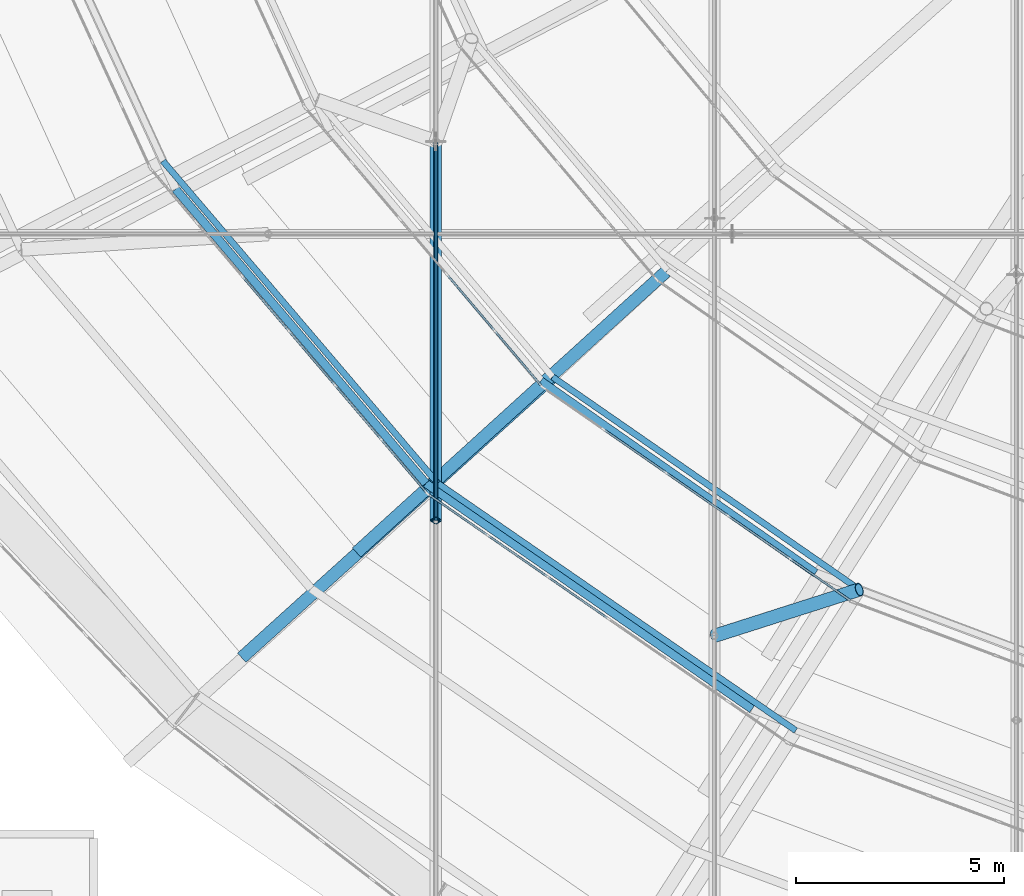
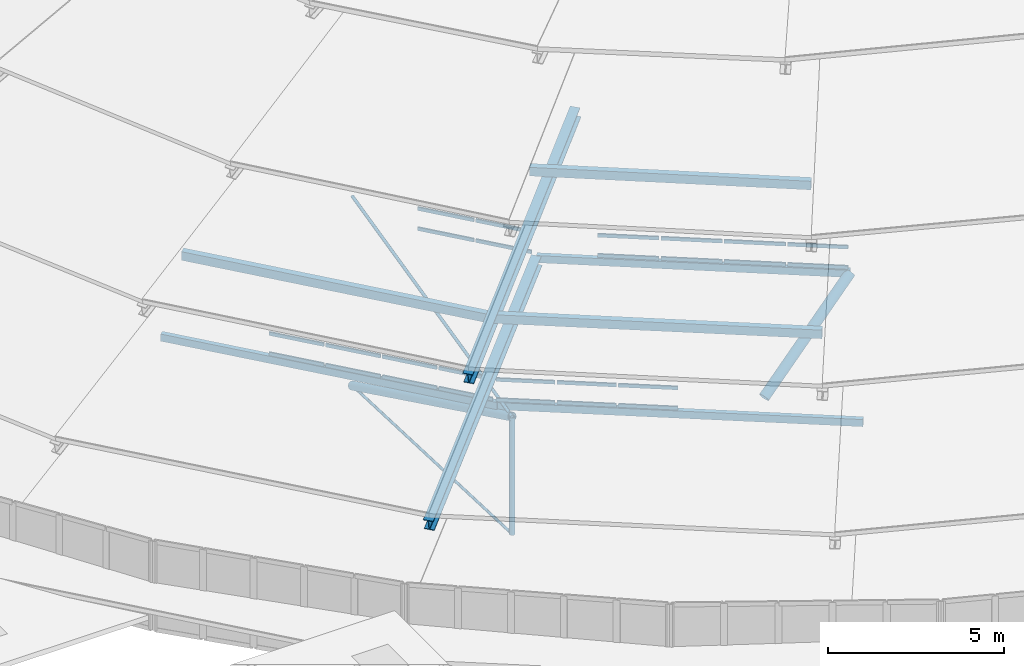
# One storey, part 5 of 173: 39 members, 4 elements without a shape of their own.
"""IFC4 building model written with IfcOpenShell, lengths in metres."""

from ifc_helpers import new_model, si_unit, direction, frame, origin, origin_2d, place, context, subcontext, project, spatial, rectangle, hollow_rectangle, circle, hollow_circle, i_section, extrude, material, material_profile, profile_set, type_object, element, aggregate, save


model = new_model("IFC4")

# Units and contexts
model_context = context("Model", 3, precision=1e-05, world=origin(), true_north=direction((0.0, 1.0)))
body_context = subcontext(model_context, "Body", "Model", "MODEL_VIEW")
ifc_project = project(units=[si_unit("LENGTHUNIT", "METRE"), si_unit("AREAUNIT", "SQUARE_METRE"), si_unit("VOLUMEUNIT", "CUBIC_METRE"), si_unit("PLANEANGLEUNIT", "RADIAN"), si_unit("MASSUNIT", "GRAM", prefix="KILO")], contexts=[model_context])

# Site, building, storey
site_placement = place(None, origin())
site = spatial("IfcSite", under=ifc_project, at=site_placement, CompositionType="ELEMENT")
building_placement = place(site_placement, origin())
building = spatial("IfcBuilding", under=site, at=building_placement, Name="Glasvene Arena", CompositionType="ELEMENT")
storey_placement = place(building_placement, frame((0.0, 0.0, 28.800048828125)))
storey = spatial("IfcBuildingStorey", under=building, at=storey_placement, Name="RF", CompositionType="ELEMENT", Elevation=28.800048828125)

# Curtain wall, members
ifc_material_1 = material(Name="Low-emissivity laminated double glazing", Category="glass")
curtain_wall_type_1 = type_object("IfcCurtainWallType", Name="CW-PET1-1026x75", PredefinedType="USERDEFINED", material=ifc_material_1)
curtain_wall_1_placement = place(storey_placement, frame((55.7568359375, 54.14990234375, 0.0)))
curtain_wall_1 = element("IfcCurtainWall", 1, at=curtain_wall_1_placement, inside=storey, type_object=curtain_wall_type_1, Name="Petal ring 1-2 clerestory curtain wall 15", ObjectType="CURTAIN WALL", PredefinedType="USERDEFINED")
ifc_material_2 = material(Name="Anodised architectural aluminium", Category="aluminium")
ifc_material_profile_1 = material_profile(ifc_material_2, rectangle(XDim=0.050048828125, YDim=0.1201171875, at=origin_2d()), Name="ALU TRANSOM 50x120")
ifc_profile_set_1 = profile_set([ifc_material_profile_1], Name="Anodised architectural aluminium")
member_type_1 = type_object("IfcMemberType", Name="CW-TRN-120", PredefinedType="USERDEFINED", material=ifc_profile_set_1)
member_1_placement = place(storey_placement, frame((57.989990234375, 51.5283203125, 2.60498046875), z_axis=(0.648425401794, -0.761278200337, 0.0), x_axis=(0.761278200337, 0.648425401794, 0.0)))
member_1 = element("IfcMember", 2, at=member_1_placement, type_object=member_type_1, Name="CW-083 transom 3.1", ObjectType="TRANSOM", PredefinedType="USERDEFINED", context=body_context, shape_type="SweptSolid", body=[
    extrude(rectangle(XDim=0.050048828125, YDim=0.1201171875, at=origin_2d()), origin(), (0.0, 0.0, 1.0), 1.6591796875),
])
member_2_placement = place(storey_placement, frame((57.989990234375, 51.5283203125, 3.304931640625), z_axis=(0.648425401794, -0.761278200337, 0.0), x_axis=(0.761278200337, 0.648425401794, 0.0)))
member_2 = element("IfcMember", 3, at=member_2_placement, type_object=member_type_1, Name="CW-083 transom 3.2", ObjectType="TRANSOM", PredefinedType="USERDEFINED", context=body_context, shape_type="SweptSolid", body=[
    extrude(rectangle(XDim=0.050048828125, YDim=0.1201171875, at=origin_2d()), origin(), (0.0, 0.0, 1.0), 1.6591796875),
])
member_3_placement = place(storey_placement, frame((59.098388671875, 50.22705078125, 2.60498046875), z_axis=(0.648510661064, -0.761205571766, 0.0), x_axis=(0.761205571766, 0.648510661064, 0.0)))
member_3 = element("IfcMember", 4, at=member_3_placement, type_object=member_type_1, Name="CW-083 transom 4.1", ObjectType="TRANSOM", PredefinedType="USERDEFINED", context=body_context, shape_type="SweptSolid", body=[
    extrude(rectangle(XDim=0.050048828125, YDim=0.1201171875, at=origin_2d()), origin(), (0.0, 0.0, 1.0), 1.659423828125),
])
member_4_placement = place(storey_placement, frame((59.098388671875, 50.22705078125, 3.304931640625), z_axis=(0.648510661064, -0.761205571766, 0.0), x_axis=(0.761205571766, 0.648510661064, 0.0)))
member_4 = element("IfcMember", 5, at=member_4_placement, type_object=member_type_1, Name="CW-083 transom 4.2", ObjectType="TRANSOM", PredefinedType="USERDEFINED", context=body_context, shape_type="SweptSolid", body=[
    extrude(rectangle(XDim=0.050048828125, YDim=0.1201171875, at=origin_2d()), origin(), (0.0, 0.0, 1.0), 1.659423828125),
])
member_5_placement = place(storey_placement, frame((60.206787109375, 48.92578125, 2.60498046875), z_axis=(0.648438039829, -0.761267435598, 0.0), x_axis=(0.761267435598, 0.648438039829, 0.0)))
member_5 = element("IfcMember", 6, at=member_5_placement, type_object=member_type_1, Name="CW-083 transom 5.1", ObjectType="TRANSOM", PredefinedType="USERDEFINED", context=body_context, shape_type="SweptSolid", body=[
    extrude(rectangle(XDim=0.050048828125, YDim=0.1201171875, at=origin_2d()), origin(), (0.0, 0.0, 1.0), 1.65966796875),
])
member_6_placement = place(storey_placement, frame((60.206787109375, 48.92578125, 3.304931640625), z_axis=(0.648438039829, -0.761267435598, 0.0), x_axis=(0.761267435598, 0.648438039829, 0.0)))
member_6 = element("IfcMember", 7, at=member_6_placement, type_object=member_type_1, Name="CW-083 transom 5.2", ObjectType="TRANSOM", PredefinedType="USERDEFINED", context=body_context, shape_type="SweptSolid", body=[
    extrude(rectangle(XDim=0.050048828125, YDim=0.1201171875, at=origin_2d()), origin(), (0.0, 0.0, 1.0), 1.65966796875),
])
member_7_placement = place(storey_placement, frame((61.3154296875, 47.624267578125, 2.60498046875), z_axis=(0.648463249482, -0.761245961613, 0.0), x_axis=(0.761245961613, 0.648463249482, 0.0)))
member_7 = element("IfcMember", 8, at=member_7_placement, type_object=member_type_1, Name="CW-083 transom 6.1", ObjectType="TRANSOM", PredefinedType="USERDEFINED", context=body_context, shape_type="SweptSolid", body=[
    extrude(rectangle(XDim=0.050048828125, YDim=0.1201171875, at=origin_2d()), origin(), (0.0, 0.0, 1.0), 1.63427734375),
])
member_8_placement = place(storey_placement, frame((61.3154296875, 47.624267578125, 3.304931640625), z_axis=(0.648463249482, -0.761245961613, 0.0), x_axis=(0.761245961613, 0.648463249482, 0.0)))
member_8 = element("IfcMember", 9, at=member_8_placement, type_object=member_type_1, Name="CW-083 transom 6.2", ObjectType="TRANSOM", PredefinedType="USERDEFINED", context=body_context, shape_type="SweptSolid", body=[
    extrude(rectangle(XDim=0.050048828125, YDim=0.1201171875, at=origin_2d()), origin(), (0.0, 0.0, 1.0), 1.63427734375),
])
aggregate(curtain_wall_1, [member_1, member_2, member_3, member_4, member_5, member_6, member_7, member_8])

curtain_wall_type_2 = type_object("IfcCurtainWallType", Name="CW-PET1-1054x75", PredefinedType="USERDEFINED", material=ifc_material_1)
curtain_wall_2_placement = place(storey_placement, frame((62.40771484375, 46.342041015625, 0.0)))
curtain_wall_2 = element("IfcCurtainWall", 10, at=curtain_wall_2_placement, inside=storey, type_object=curtain_wall_type_2, Name="Petal ring 1-2 clerestory curtain wall 16", ObjectType="CURTAIN WALL", PredefinedType="USERDEFINED")
member_9_placement = place(storey_placement, frame((62.44873046875, 46.313720703125, 2.60498046875), z_axis=(0.822547539118, -0.568696356495, 0.0), x_axis=(0.568696356495, 0.822547539118, 0.0)))
member_9 = element("IfcMember", 11, at=member_9_placement, type_object=member_type_1, Name="CW-084 transom 1.1", ObjectType="TRANSOM", PredefinedType="USERDEFINED", context=body_context, shape_type="SweptSolid", body=[
    extrude(rectangle(XDim=0.050048828125, YDim=0.1201171875, at=origin_2d()), origin(), (0.0, 0.0, 1.0), 1.68115234375),
])
member_10_placement = place(storey_placement, frame((62.44873046875, 46.313720703125, 3.304931640625), z_axis=(0.822547539118, -0.568696356495, 0.0), x_axis=(0.568696356495, 0.822547539118, 0.0)))
member_10 = element("IfcMember", 12, at=member_10_placement, type_object=member_type_1, Name="CW-084 transom 1.2", ObjectType="TRANSOM", PredefinedType="USERDEFINED", context=body_context, shape_type="SweptSolid", body=[
    extrude(rectangle(XDim=0.050048828125, YDim=0.1201171875, at=origin_2d()), origin(), (0.0, 0.0, 1.0), 1.68115234375),
])
member_11_placement = place(storey_placement, frame((63.872802734375, 45.329345703125, 2.60498046875), z_axis=(0.82255264471, -0.56868897183, 0.0), x_axis=(0.56868897183, 0.82255264471, 0.0)))
member_11 = element("IfcMember", 13, at=member_11_placement, type_object=member_type_1, Name="CW-084 transom 2.1", ObjectType="TRANSOM", PredefinedType="USERDEFINED", context=body_context, shape_type="SweptSolid", body=[
    extrude(rectangle(XDim=0.050048828125, YDim=0.1201171875, at=origin_2d()), origin(), (0.0, 0.0, 1.0), 1.7060546875),
])
member_12_placement = place(storey_placement, frame((63.872802734375, 45.329345703125, 3.304931640625), z_axis=(0.82255264471, -0.56868897183, 0.0), x_axis=(0.56868897183, 0.82255264471, 0.0)))
member_12 = element("IfcMember", 14, at=member_12_placement, type_object=member_type_1, Name="CW-084 transom 2.2", ObjectType="TRANSOM", PredefinedType="USERDEFINED", context=body_context, shape_type="SweptSolid", body=[
    extrude(rectangle(XDim=0.050048828125, YDim=0.1201171875, at=origin_2d()), origin(), (0.0, 0.0, 1.0), 1.7060546875),
])
member_13_placement = place(storey_placement, frame((65.3173828125, 44.330810546875, 2.60498046875), z_axis=(0.82255264471, -0.56868897183, 0.0), x_axis=(0.56868897183, 0.82255264471, 0.0)))
member_13 = element("IfcMember", 15, at=member_13_placement, type_object=member_type_1, Name="CW-084 transom 3.1", ObjectType="TRANSOM", PredefinedType="USERDEFINED", context=body_context, shape_type="SweptSolid", body=[
    extrude(rectangle(XDim=0.050048828125, YDim=0.1201171875, at=origin_2d()), origin(), (0.0, 0.0, 1.0), 1.7060546875),
])
member_14_placement = place(storey_placement, frame((65.3173828125, 44.330810546875, 3.304931640625), z_axis=(0.82255264471, -0.56868897183, 0.0), x_axis=(0.56868897183, 0.82255264471, 0.0)))
member_14 = element("IfcMember", 16, at=member_14_placement, type_object=member_type_1, Name="CW-084 transom 3.2", ObjectType="TRANSOM", PredefinedType="USERDEFINED", context=body_context, shape_type="SweptSolid", body=[
    extrude(rectangle(XDim=0.050048828125, YDim=0.1201171875, at=origin_2d()), origin(), (0.0, 0.0, 1.0), 1.7060546875),
])
aggregate(curtain_wall_2, [member_9, member_10, member_11, member_12, member_13, member_14])

curtain_wall_type_3 = type_object("IfcCurtainWallType", Name="CW-PET2-882x75", PredefinedType="USERDEFINED", material=ifc_material_1)
curtain_wall_3_placement = place(storey_placement, frame((59.459716796875, 55.625, 0.0)))
curtain_wall_3 = element("IfcCurtainWall", 17, at=curtain_wall_3_placement, inside=storey, type_object=curtain_wall_type_3, Name="Petal ring 2-3 clerestory curtain wall 15", ObjectType="CURTAIN WALL", PredefinedType="USERDEFINED")
member_15_placement = place(storey_placement, frame((62.89892578125, 51.573486328125, 5.204833984375), z_axis=(0.647180817857, -0.76233653264, 0.0), x_axis=(0.76233653264, 0.647180817857, 0.0)))
member_15 = element("IfcMember", 18, at=member_15_placement, type_object=member_type_1, Name="CW-089 transom 4.1", ObjectType="TRANSOM", PredefinedType="USERDEFINED", context=body_context, shape_type="SweptSolid", body=[
    extrude(rectangle(XDim=0.050048828125, YDim=0.1201171875, at=origin_2d()), origin(), (0.0, 0.0, 1.0), 1.713134765625),
])
member_16_placement = place(storey_placement, frame((62.89892578125, 51.573486328125, 5.905029296875), z_axis=(0.647180817857, -0.76233653264, 0.0), x_axis=(0.76233653264, 0.647180817857, 0.0)))
member_16 = element("IfcMember", 19, at=member_16_placement, type_object=member_type_1, Name="CW-089 transom 4.2", ObjectType="TRANSOM", PredefinedType="USERDEFINED", context=body_context, shape_type="SweptSolid", body=[
    extrude(rectangle(XDim=0.050048828125, YDim=0.1201171875, at=origin_2d()), origin(), (0.0, 0.0, 1.0), 1.713134765625),
])
member_17_placement = place(storey_placement, frame((64.0400390625, 50.2294921875, 5.204833984375), z_axis=(0.647199107882, -0.762321005061, 0.0), x_axis=(0.762321005061, 0.647199107882, 0.0)))
member_17 = element("IfcMember", 20, at=member_17_placement, type_object=member_type_1, Name="CW-089 transom 5.1", ObjectType="TRANSOM", PredefinedType="USERDEFINED", context=body_context, shape_type="SweptSolid", body=[
    extrude(rectangle(XDim=0.050048828125, YDim=0.1201171875, at=origin_2d()), origin(), (0.0, 0.0, 1.0), 1.68798828125),
])
member_18_placement = place(storey_placement, frame((64.0400390625, 50.2294921875, 5.905029296875), z_axis=(0.647199107882, -0.762321005061, 0.0), x_axis=(0.762321005061, 0.647199107882, 0.0)))
member_18 = element("IfcMember", 21, at=member_18_placement, type_object=member_type_1, Name="CW-089 transom 5.2", ObjectType="TRANSOM", PredefinedType="USERDEFINED", context=body_context, shape_type="SweptSolid", body=[
    extrude(rectangle(XDim=0.050048828125, YDim=0.1201171875, at=origin_2d()), origin(), (0.0, 0.0, 1.0), 1.68798828125),
])
aggregate(curtain_wall_3, [member_15, member_16, member_17, member_18])

curtain_wall_type_4 = type_object("IfcCurtainWallType", Name="CW-PET2-905x75", PredefinedType="USERDEFINED", material=ifc_material_1)
curtain_wall_4_placement = place(storey_placement, frame((65.164794921875, 48.904296875, 0.0)))
curtain_wall_4 = element("IfcCurtainWall", 22, at=curtain_wall_4_placement, inside=storey, type_object=curtain_wall_type_4, Name="Petal ring 2-3 clerestory curtain wall 16", ObjectType="CURTAIN WALL", PredefinedType="USERDEFINED")
member_19_placement = place(storey_placement, frame((66.67236328125, 47.85888671875, 5.204833984375), z_axis=(0.821707443011, -0.569909535014, 0.0), x_axis=(0.569909535014, 0.821707443011, 0.0)))
member_19 = element("IfcMember", 23, at=member_19_placement, type_object=member_type_1, Name="CW-090 transom 2.1", ObjectType="TRANSOM", PredefinedType="USERDEFINED", context=body_context, shape_type="SweptSolid", body=[
    extrude(rectangle(XDim=0.050048828125, YDim=0.1201171875, at=origin_2d()), origin(), (0.0, 0.0, 1.0), 1.759765625),
])
member_20_placement = place(storey_placement, frame((66.67236328125, 47.85888671875, 5.905029296875), z_axis=(0.821707443011, -0.569909535014, 0.0), x_axis=(0.569909535014, 0.821707443011, 0.0)))
member_20 = element("IfcMember", 24, at=member_20_placement, type_object=member_type_1, Name="CW-090 transom 2.2", ObjectType="TRANSOM", PredefinedType="USERDEFINED", context=body_context, shape_type="SweptSolid", body=[
    extrude(rectangle(XDim=0.050048828125, YDim=0.1201171875, at=origin_2d()), origin(), (0.0, 0.0, 1.0), 1.759765625),
])
member_21_placement = place(storey_placement, frame((68.159423828125, 46.827392578125, 5.204833984375), z_axis=(0.821707443011, -0.569909535014, 0.0), x_axis=(0.569909535014, 0.821707443011, 0.0)))
member_21 = element("IfcMember", 25, at=member_21_placement, type_object=member_type_1, Name="CW-090 transom 3.1", ObjectType="TRANSOM", PredefinedType="USERDEFINED", context=body_context, shape_type="SweptSolid", body=[
    extrude(rectangle(XDim=0.050048828125, YDim=0.1201171875, at=origin_2d()), origin(), (0.0, 0.0, 1.0), 1.759765625),
])
member_22_placement = place(storey_placement, frame((68.159423828125, 46.827392578125, 5.905029296875), z_axis=(0.821707443011, -0.569909535014, 0.0), x_axis=(0.569909535014, 0.821707443011, 0.0)))
member_22 = element("IfcMember", 26, at=member_22_placement, type_object=member_type_1, Name="CW-090 transom 3.2", ObjectType="TRANSOM", PredefinedType="USERDEFINED", context=body_context, shape_type="SweptSolid", body=[
    extrude(rectangle(XDim=0.050048828125, YDim=0.1201171875, at=origin_2d()), origin(), (0.0, 0.0, 1.0), 1.759765625),
])
member_23_placement = place(storey_placement, frame((69.646484375, 45.7958984375, 5.204833984375), z_axis=(0.821772410678, -0.569815851875, 0.0), x_axis=(0.569815851875, 0.821772410678, 0.0)))
member_23 = element("IfcMember", 27, at=member_23_placement, type_object=member_type_1, Name="CW-090 transom 4.1", ObjectType="TRANSOM", PredefinedType="USERDEFINED", context=body_context, shape_type="SweptSolid", body=[
    extrude(rectangle(XDim=0.050048828125, YDim=0.1201171875, at=origin_2d()), origin(), (0.0, 0.0, 1.0), 1.759765625),
])
member_24_placement = place(storey_placement, frame((69.646484375, 45.7958984375, 5.905029296875), z_axis=(0.821772410678, -0.569815851875, 0.0), x_axis=(0.569815851875, 0.821772410678, 0.0)))
member_24 = element("IfcMember", 28, at=member_24_placement, type_object=member_type_1, Name="CW-090 transom 4.2", ObjectType="TRANSOM", PredefinedType="USERDEFINED", context=body_context, shape_type="SweptSolid", body=[
    extrude(rectangle(XDim=0.050048828125, YDim=0.1201171875, at=origin_2d()), origin(), (0.0, 0.0, 1.0), 1.759765625),
])
member_25_placement = place(storey_placement, frame((71.133544921875, 44.7646484375, 5.204833984375), z_axis=(0.821644611614, -0.57000011597, 0.0), x_axis=(0.57000011597, 0.821644611614, 0.0)))
member_25 = element("IfcMember", 29, at=member_25_placement, type_object=member_type_1, Name="CW-090 transom 5.1", ObjectType="TRANSOM", PredefinedType="USERDEFINED", context=body_context, shape_type="SweptSolid", body=[
    extrude(rectangle(XDim=0.050048828125, YDim=0.1201171875, at=origin_2d()), origin(), (0.0, 0.0, 1.0), 1.734619140625),
])
member_26_placement = place(storey_placement, frame((71.133544921875, 44.7646484375, 5.905029296875), z_axis=(0.821644611614, -0.57000011597, 0.0), x_axis=(0.57000011597, 0.821644611614, 0.0)))
member_26 = element("IfcMember", 30, at=member_26_placement, type_object=member_type_1, Name="CW-090 transom 5.2", ObjectType="TRANSOM", PredefinedType="USERDEFINED", context=body_context, shape_type="SweptSolid", body=[
    extrude(rectangle(XDim=0.050048828125, YDim=0.1201171875, at=origin_2d()), origin(), (0.0, 0.0, 1.0), 1.734619140625),
])
aggregate(curtain_wall_4, [member_19, member_20, member_21, member_22, member_23, member_24, member_25, member_26])

# Members
ifc_material_3 = material(Name="High-strength steel spiral strand S460", Category="steel")
ifc_material_profile_2 = material_profile(ifc_material_3, circle(Radius=0.052490234375, at=origin_2d()), Name="LCSS D105")
ifc_profile_set_2 = profile_set([ifc_material_profile_2], Name="High-strength steel spiral strand S460")
member_type_2 = type_object("IfcMemberType", Name="MB-CABLE-105", PredefinedType="USERDEFINED", material=ifc_profile_set_2)
member_27_placement = place(storey_placement, frame((62.610595703125, 45.69580078125, 2.328857421875), z_axis=(0.0, 0.973356181903, 0.229298371455), x_axis=(-1.0, 0.0, 0.0)))
element("IfcMember", 31, at=member_27_placement, inside=storey, type_object=member_type_2, Name="Upper lens roof cable NS09-02", ObjectType="ROOF CABLE", PredefinedType="USERDEFINED", context=body_context, shape_type="SweptSolid", body=[
    extrude(circle(Radius=0.052490234375, at=origin_2d()), origin(), (0.0, 0.0, 1.0), 9.350341796875),
])
ifc_material_profile_3 = material_profile(ifc_material_3, circle(Radius=0.044921875, at=origin_2d()), Name="LCSS D90")
ifc_profile_set_3 = profile_set([ifc_material_profile_3], Name="High-strength steel spiral strand S460")
member_type_3 = type_object("IfcMemberType", Name="MB-CABLE-90", PredefinedType="USERDEFINED", material=ifc_profile_set_3)
member_28_placement = place(storey_placement, frame((62.610595703125, 45.69580078125, -1.753173828125), z_axis=(0.0, 0.999221336832, -0.039455291392), x_axis=(-1.0, 0.0, 0.0)))
element("IfcMember", 32, at=member_28_placement, inside=storey, type_object=member_type_3, Name="Lower stabilization roof cable NS09-02", ObjectType="ROOF CABLE", PredefinedType="USERDEFINED", context=body_context, shape_type="SweptSolid", body=[
    extrude(circle(Radius=0.044921875, at=origin_2d()), origin(), (0.0, 0.0, 1.0), 9.1083984375),
])
ifc_material_4 = material(Name="Steel S355J2", Category="steel")
ifc_material_profile_4 = material_profile(ifc_material_4, i_section(OverallWidth=0.300048828125, OverallDepth=0.39990234375, WebThickness=0.013427734375, FlangeThickness=0.02392578125, FilletRadius=0.027099609375, at=origin_2d()), Name="HEB 400")
ifc_profile_set_4 = profile_set([ifc_material_profile_4], Name="Steel S355J2")
member_type_4 = type_object("IfcMemberType", Name="MB-CHORD-HEB400", PredefinedType="CHORD", material=ifc_profile_set_4)
member_29_placement = place(storey_placement, frame((57.98779296875, 42.434326171875, 2.14990234375), z_axis=(0.719056202767, 0.649588341673, 0.246967940479), x_axis=(-0.670353443841, 0.742041953214, 0.0)))
element("IfcMember", 33, at=member_29_placement, inside=storey, type_object=member_type_4, Name="Petal ring 2 radial rib 16", PredefinedType="CHORD", context=body_context, shape_type="SweptSolid", body=[
    extrude(i_section(OverallWidth=0.300048828125, OverallDepth=0.39990234375, WebThickness=0.013427734375, FlangeThickness=0.02392578125, FilletRadius=0.027099609375, at=origin_2d()), origin(), (0.0, 0.0, 1.0), 10.325439453125),
])
member_30_placement = place(storey_placement, frame((60.7451171875, 44.961181640625, 4.75), z_axis=(0.716730167229, 0.650621584181, 0.25097693436), x_axis=(-0.672134549443, 0.74042902931, 0.0)))
element("IfcMember", 34, at=member_30_placement, inside=storey, type_object=member_type_4, Name="Petal ring 3 radial rib 16", PredefinedType="CHORD", context=body_context, shape_type="SweptSolid", body=[
    extrude(i_section(OverallWidth=0.300048828125, OverallDepth=0.39990234375, WebThickness=0.013427734375, FlangeThickness=0.02392578125, FilletRadius=0.027099609375, at=origin_2d()), origin(), (0.0, 0.0, 1.0), 10.35888671875),
])
ifc_material_profile_5 = material_profile(ifc_material_4, hollow_circle(Radius=0.161865234375, WallThickness=0.01611328125, at=origin_2d()), Name="CHS 323.9x16.0")
ifc_profile_set_5 = profile_set([ifc_material_profile_5], Name="Steel S355J2")
member_type_5 = type_object("IfcMemberType", Name="MB-POST-CHS324", PredefinedType="BRACE", material=ifc_profile_set_5)
member_31_placement = place(storey_placement, frame((69.300537109375, 42.928466796875, 2.328857421875), z_axis=(0.790450596407, 0.252393191629, 0.558108888532), x_axis=(-0.30417330737, 0.952616711529, 0.0)))
element("IfcMember", 35, at=member_31_placement, inside=storey, type_object=member_type_5, Name="Petal ring 2 ridge support post 17", PredefinedType="BRACE", context=body_context, shape_type="SweptSolid", body=[
    extrude(hollow_circle(Radius=0.161865234375, WallThickness=0.01611328125, at=origin_2d()), origin(), (0.0, 0.0, 1.0), 4.3955078125),
])
ifc_material_profile_6 = material_profile(ifc_material_4, hollow_rectangle(XDim=0.14990234375, YDim=0.25, WallThickness=0.010009765625, at=origin_2d()), Name="RHS 250x150x10.0")
ifc_profile_set_6 = profile_set([ifc_material_profile_6], Name="Steel S355J2")
member_type_6 = type_object("IfcMemberType", Name="MB-PURLIN-RHS250", PredefinedType="PURLIN", material=ifc_profile_set_6)
member_32_placement = place(storey_placement, frame((56.06005859375, 54.324951171875, 2.181884765625), z_axis=(0.648785480465, -0.760971353165, 0.0), x_axis=(0.760971353165, 0.648785480465, 0.0)))
element("IfcMember", 36, at=member_32_placement, inside=storey, type_object=member_type_6, Name="Petal ring 1 ridge purlin 15", PredefinedType="PURLIN", context=body_context, shape_type="SweptSolid", body=[
    extrude(hollow_rectangle(XDim=0.14990234375, YDim=0.25, WallThickness=0.010009765625, at=origin_2d()), origin(), (0.0, 0.0, 1.0), 10.1650390625),
])
member_33_placement = place(storey_placement, frame((62.655029296875, 46.589599609375, 2.181884765625), z_axis=(0.822844597344, -0.568266459174, 0.0), x_axis=(0.568266459174, 0.822844597344, 0.0)))
element("IfcMember", 37, at=member_33_placement, inside=storey, type_object=member_type_6, Name="Petal ring 1 ridge purlin 16", PredefinedType="PURLIN", context=body_context, shape_type="SweptSolid", body=[
    extrude(hollow_rectangle(XDim=0.14990234375, YDim=0.25, WallThickness=0.010009765625, at=origin_2d()), origin(), (0.0, 0.0, 1.0), 10.445556640625),
])
member_34_placement = place(storey_placement, frame((65.412353515625, 49.1416015625, 4.781982421875), z_axis=(0.821846699562, -0.569708699617, 0.0), x_axis=(0.569708699617, 0.821846699562, 0.0)))
element("IfcMember", 38, at=member_34_placement, inside=storey, type_object=member_type_6, Name="Petal ring 2 ridge purlin 16", PredefinedType="PURLIN", context=body_context, shape_type="SweptSolid", body=[
    extrude(hollow_rectangle(XDim=0.14990234375, YDim=0.25, WallThickness=0.010009765625, at=origin_2d()), origin(), (0.0, 0.0, 1.0), 8.95849609375),
])
ifc_material_profile_7 = material_profile(ifc_material_4, hollow_rectangle(XDim=0.199951171875, YDim=0.300048828125, WallThickness=0.012451171875, at=origin_2d()), Name="RHS 300x200x12.5")
ifc_profile_set_7 = profile_set([ifc_material_profile_7], Name="Steel S355J2")
member_type_7 = type_object("IfcMemberType", Name="MB-PURLIN-RHS300", PredefinedType="PURLIN", material=ifc_profile_set_7)
member_35_placement = place(storey_placement, frame((56.3642578125, 53.64990234375, 5.33935546875), z_axis=(0.647909031053, -0.761717721653, 0.0), x_axis=(0.761717721653, 0.647909031053, 0.0)))
element("IfcMember", 39, at=member_35_placement, inside=storey, type_object=member_type_7, Name="Petal ring 3 outer purlin 15", PredefinedType="PURLIN", context=body_context, shape_type="SweptSolid", body=[
    extrude(hollow_rectangle(XDim=0.199951171875, YDim=0.300048828125, WallThickness=0.012451171875, at=origin_2d()), origin(), (0.0, 0.0, 1.0), 9.271484375),
])
member_36_placement = place(storey_placement, frame((62.371337890625, 46.587646484375, 5.33935546875), z_axis=(0.822222652654, -0.569165977077, 0.0), x_axis=(0.569165977077, 0.822222652654, 0.0)))
element("IfcMember", 40, at=member_36_placement, inside=storey, type_object=member_type_7, Name="Petal ring 3 outer purlin 16", PredefinedType="PURLIN", context=body_context, shape_type="SweptSolid", body=[
    extrude(hollow_rectangle(XDim=0.199951171875, YDim=0.300048828125, WallThickness=0.012451171875, at=origin_2d()), origin(), (0.0, 0.0, 1.0), 9.521240234375),
])
member_37_placement = place(storey_placement, frame((65.128662109375, 49.0439453125, 8.00048828125), z_axis=(0.819748991351, -0.57272296198, 0.0), x_axis=(0.57272296198, 0.819748991351, 0.0)))
element("IfcMember", 41, at=member_37_placement, inside=storey, type_object=member_type_7, Name="Petal ring 4 outer purlin 16", PredefinedType="PURLIN", context=body_context, shape_type="SweptSolid", body=[
    extrude(hollow_rectangle(XDim=0.199951171875, YDim=0.300048828125, WallThickness=0.012451171875, at=origin_2d()), origin(), (0.0, 0.0, 1.0), 8.046875),
])
ifc_material_profile_8 = material_profile(ifc_material_4, hollow_circle(Radius=0.084228515625, WallThickness=0.008056640625, at=origin_2d()), Name="CHS 168.3x8.0")
ifc_profile_set_8 = profile_set([ifc_material_profile_8], Name="Steel S355J2")
member_type_8 = type_object("IfcMemberType", Name="MB-WEB-CHS168", PredefinedType="BRACE", material=ifc_profile_set_8)
member_38_placement = place(storey_placement, frame((62.610595703125, 45.69580078125, -1.753173828125), z_axis=(0.0, 0.0, 1.0), x_axis=(1.0, 0.0, 0.0)))
element("IfcMember", 42, at=member_38_placement, inside=storey, type_object=member_type_8, Name="Cable-truss vertical strut NS09-01", PredefinedType="BRACE", context=body_context, shape_type="SweptSolid", body=[
    extrude(hollow_circle(Radius=0.084228515625, WallThickness=0.008056640625, at=origin_2d()), origin(), (0.0, 0.0, 1.0), 4.08203125),
])
ifc_material_profile_9 = material_profile(ifc_material_4, hollow_circle(Radius=0.136474609375, WallThickness=0.012451171875, at=origin_2d()), Name="CHS 273.0x12.5")
ifc_profile_set_9 = profile_set([ifc_material_profile_9], Name="Steel S355J2")
member_type_9 = type_object("IfcMemberType", Name="MB-WEB-CHS273", PredefinedType="BRACE", material=ifc_profile_set_9)
member_39_placement = place(storey_placement, frame((62.610595703125, 45.69580078125, 2.328857421875), z_axis=(0.0, 0.898700781231, -0.438562316912), x_axis=(-1.0, 0.0, 0.0)))
element("IfcMember", 43, at=member_39_placement, inside=storey, type_object=member_type_9, Name="Cable-truss diagonal web strut NS09-02", PredefinedType="BRACE", context=body_context, shape_type="SweptSolid", body=[
    extrude(hollow_circle(Radius=0.136474609375, WallThickness=0.012451171875, at=origin_2d()), origin(), (0.0, 0.0, 1.0), 10.127197265625),
])

save(model, "model.ifc")
